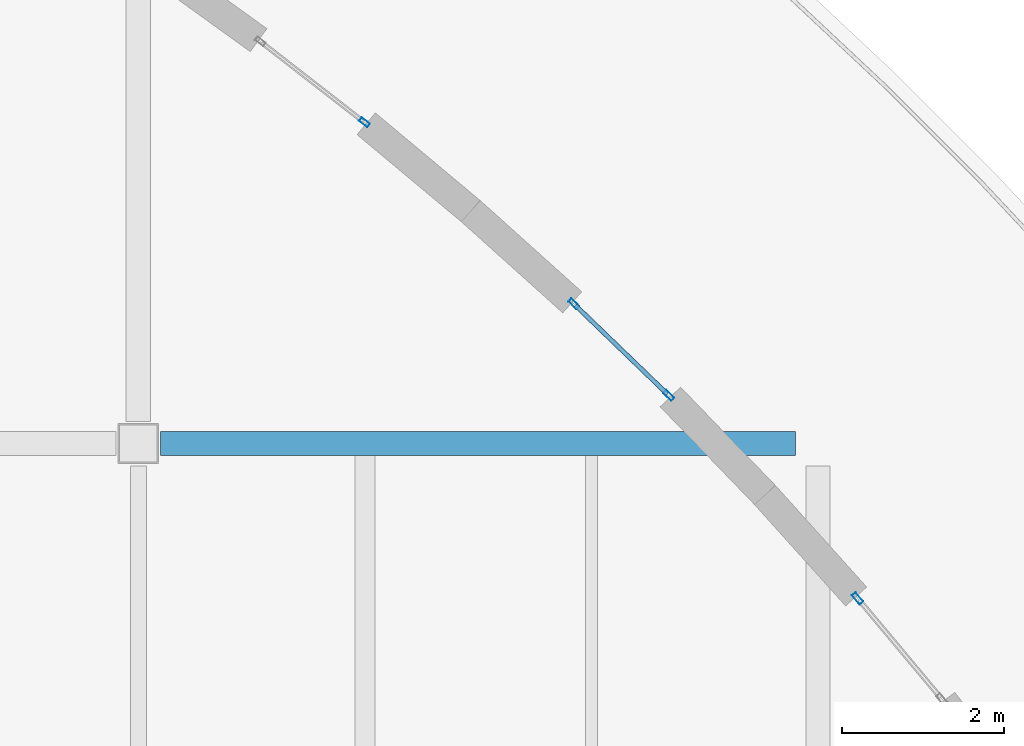
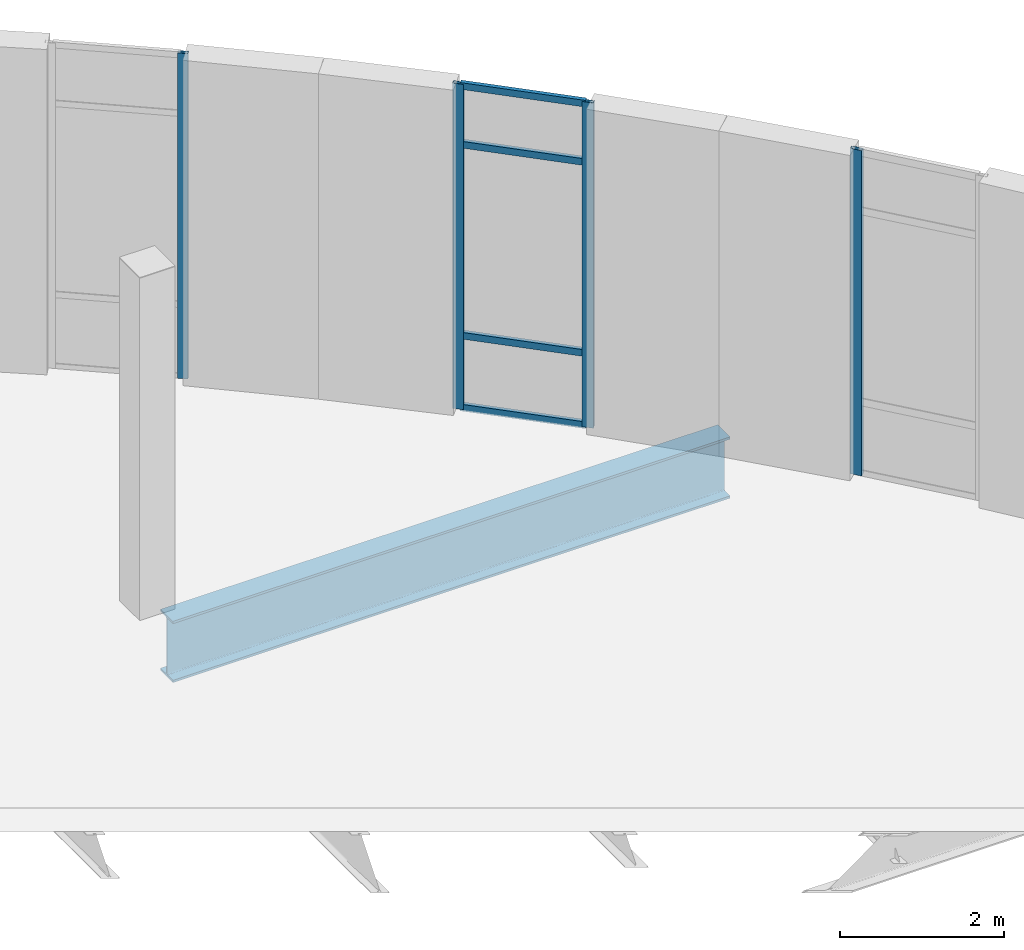
# One storey, part 53 of 103: 8 members, 1 beam, 3 elements without a shape of their own.
"""IFC4 building model written with IfcOpenShell, lengths in metres."""

from ifc_helpers import new_model, si_unit, direction, frame, origin, origin_2d, place, context, subcontext, project, spatial, hollow_rectangle, i_section, extrude, material, layer, layer_set, material_profile, profile_set, type_object, element, aggregate, save


model = new_model("IFC4")

# Units and contexts
model_context = context("Model", 3, precision=1e-05, world=origin(), true_north=direction((0.0, 1.0)))
body_context = subcontext(model_context, "Body", "Model", "MODEL_VIEW")
ifc_project = project(units=[si_unit("LENGTHUNIT", "METRE"), si_unit("AREAUNIT", "SQUARE_METRE"), si_unit("VOLUMEUNIT", "CUBIC_METRE"), si_unit("PLANEANGLEUNIT", "RADIAN"), si_unit("MASSUNIT", "GRAM", prefix="KILO"), si_unit("THERMODYNAMICTEMPERATUREUNIT", "KELVIN")], contexts=[model_context])

# Site, building, storey
site_placement = place(None, origin())
site = spatial("IfcSite", under=ifc_project, at=site_placement, CompositionType="ELEMENT")
building_placement = place(site_placement, origin())
building = spatial("IfcBuilding", under=site, at=building_placement, Name="Lustrewick Department Store", CompositionType="ELEMENT")
storey_placement = place(building_placement, frame((0.0, 0.0, 16.5)))
storey = spatial("IfcBuildingStorey", under=building, at=storey_placement, Name="L04", CompositionType="ELEMENT", Elevation=16.5)

# Curtain wall, member
ifc_material_1 = material(Name="Thermally broken aluminium 6063-T5", Category="aluminium")
ifc_layer_1 = layer(ifc_material_1, 0.14990234375, Name="Thermally broken aluminium 6063-T5")
ifc_layer_set_1 = layer_set([ifc_layer_1], Name="Thermally broken aluminium 6063-T5")
curtain_wall_type_1 = type_object("IfcCurtainWallType", Name="CW05", PredefinedType="NOTDEFINED", material=ifc_layer_set_1)
curtain_wall_1_placement = place(storey_placement, origin())
curtain_wall_1 = element("IfcCurtainWall", 1, at=curtain_wall_1_placement, inside=storey, type_object=curtain_wall_type_1, Name="L04 V4 Curtain Wall CW05", PredefinedType="NOTDEFINED")
ifc_material_profile_1 = material_profile(ifc_material_1, hollow_rectangle(XDim=0.06005859375, YDim=0.14990234375, WallThickness=0.00341796875, at=origin_2d()), Name="ALU-M 60x150x3.5")
ifc_profile_set_1 = profile_set([ifc_material_profile_1], Name="Thermally broken aluminium 6063-T5")
member_type_1 = type_object("IfcMemberType", Name="CW05-M1", PredefinedType="MULLION", material=ifc_profile_set_1)
member_1_placement = place(storey_placement, frame((151.690673828125, 90.486328125, 0.0), z_axis=(0.0, 0.0, 1.0), x_axis=(-0.767320559284, -0.641263720555, 0.0)))
member_1 = element("IfcMember", 2, at=member_1_placement, type_object=member_type_1, Name="CW05 mullion 2", PredefinedType="MULLION", context=body_context, shape_type="SweptSolid", body=[
    extrude(hollow_rectangle(XDim=0.06005859375, YDim=0.14990234375, WallThickness=0.00341796875, at=origin_2d()), origin(), (0.0, 0.0, 1.0), 4.844970703125),
])
aggregate(curtain_wall_1, [member_1])

# Curtain wall, members
ifc_layer_2 = layer(ifc_material_1, 0.139892578125, Name="Thermally broken aluminium 6063-T5")
ifc_layer_set_2 = layer_set([ifc_layer_2], Name="Thermally broken aluminium 6063-T5")
curtain_wall_type_2 = type_object("IfcCurtainWallType", Name="CW06", PredefinedType="NOTDEFINED", material=ifc_layer_set_2)
curtain_wall_2_placement = place(storey_placement, origin())
curtain_wall_2 = element("IfcCurtainWall", 3, at=curtain_wall_2_placement, inside=storey, type_object=curtain_wall_type_2, Name="L04 V4 Curtain Wall CW06", PredefinedType="NOTDEFINED")
ifc_material_profile_2 = material_profile(ifc_material_1, hollow_rectangle(XDim=0.054931640625, YDim=0.139892578125, WallThickness=0.00341796875, at=origin_2d()), Name="ALU-M 55x140x3.5")
ifc_profile_set_2 = profile_set([ifc_material_profile_2], Name="Thermally broken aluminium 6063-T5")
member_type_2 = type_object("IfcMemberType", Name="CW06-M1", PredefinedType="MULLION", material=ifc_profile_set_2)
member_2_placement = place(storey_placement, frame((149.355712890625, 92.994384765625, 0.0), z_axis=(0.0, 0.0, 1.0), x_axis=(-0.694382653502, -0.71960595503, 0.0)))
member_2 = element("IfcMember", 4, at=member_2_placement, type_object=member_type_2, Name="CW06 mullion 1", PredefinedType="MULLION", context=body_context, shape_type="SweptSolid", body=[
    extrude(hollow_rectangle(XDim=0.054931640625, YDim=0.139892578125, WallThickness=0.00341796875, at=origin_2d()), origin(), (0.0, 0.0, 1.0), 4.844970703125),
])
member_3_placement = place(storey_placement, frame((148.1826171875, 94.126220703125, 0.0), z_axis=(0.0, 0.0, 1.0), x_axis=(-0.694382653502, -0.71960595503, 0.0)))
member_3 = element("IfcMember", 5, at=member_3_placement, type_object=member_type_2, Name="CW06 mullion 2", PredefinedType="MULLION", context=body_context, shape_type="SweptSolid", body=[
    extrude(hollow_rectangle(XDim=0.054931640625, YDim=0.139892578125, WallThickness=0.00341796875, at=origin_2d()), origin(), (0.0, 0.0, 1.0), 4.844970703125),
])
ifc_material_profile_3 = material_profile(ifc_material_1, hollow_rectangle(XDim=0.054931640625, YDim=0.10009765625, WallThickness=0.0029296875, at=origin_2d()), Name="ALU-T 55x100x3")
ifc_profile_set_3 = profile_set([ifc_material_profile_3], Name="Thermally broken aluminium 6063-T5")
member_type_3 = type_object("IfcMemberType", Name="CW06-T1", PredefinedType="USERDEFINED", material=ifc_profile_set_3)
member_4_placement = place(storey_placement, frame((149.3359375, 93.013671875, 0.027587890625), z_axis=(-0.719703205649, 0.69428185615, 0.0), x_axis=(-0.69428185615, -0.719703205649, 0.0)))
member_4 = element("IfcMember", 6, at=member_4_placement, type_object=member_type_3, Name="CW06 transom 1.1", ObjectType="TRANSOM", PredefinedType="USERDEFINED", context=body_context, shape_type="SweptSolid", body=[
    extrude(hollow_rectangle(XDim=0.054931640625, YDim=0.10009765625, WallThickness=0.0029296875, at=origin_2d()), origin(), (0.0, 0.0, 1.0), 1.574951171875),
])
member_5_placement = place(storey_placement, frame((149.3359375, 93.013671875, 1.10009765625), z_axis=(-0.719703205649, 0.69428185615, 0.0), x_axis=(-0.69428185615, -0.719703205649, 0.0)))
member_5 = element("IfcMember", 7, at=member_5_placement, type_object=member_type_3, Name="CW06 transom 1.2", ObjectType="TRANSOM", PredefinedType="USERDEFINED", context=body_context, shape_type="SweptSolid", body=[
    extrude(hollow_rectangle(XDim=0.054931640625, YDim=0.10009765625, WallThickness=0.0029296875, at=origin_2d()), origin(), (0.0, 0.0, 1.0), 1.574951171875),
])
member_6_placement = place(storey_placement, frame((149.3359375, 93.013671875, 3.945068359375), z_axis=(-0.719703205649, 0.69428185615, 0.0), x_axis=(-0.69428185615, -0.719703205649, 0.0)))
member_6 = element("IfcMember", 8, at=member_6_placement, type_object=member_type_3, Name="CW06 transom 1.3", ObjectType="TRANSOM", PredefinedType="USERDEFINED", context=body_context, shape_type="SweptSolid", body=[
    extrude(hollow_rectangle(XDim=0.054931640625, YDim=0.10009765625, WallThickness=0.0029296875, at=origin_2d()), origin(), (0.0, 0.0, 1.0), 1.574951171875),
])
member_7_placement = place(storey_placement, frame((149.3359375, 93.013671875, 4.8173828125), z_axis=(-0.719703205649, 0.69428185615, 0.0), x_axis=(-0.69428185615, -0.719703205649, 0.0)))
member_7 = element("IfcMember", 9, at=member_7_placement, type_object=member_type_3, Name="CW06 transom 1.4", ObjectType="TRANSOM", PredefinedType="USERDEFINED", context=body_context, shape_type="SweptSolid", body=[
    extrude(hollow_rectangle(XDim=0.054931640625, YDim=0.10009765625, WallThickness=0.0029296875, at=origin_2d()), origin(), (0.0, 0.0, 1.0), 1.574951171875),
])
aggregate(curtain_wall_2, [member_2, member_3, member_4, member_5, member_6, member_7])

# Curtain wall, member
ifc_layer_3 = layer(ifc_material_1, 0.1298828125, Name="Thermally broken aluminium 6063-T5")
ifc_layer_set_3 = layer_set([ifc_layer_3], Name="Thermally broken aluminium 6063-T5")
curtain_wall_type_3 = type_object("IfcCurtainWallType", Name="CW07", PredefinedType="NOTDEFINED", material=ifc_layer_set_3)
curtain_wall_3_placement = place(storey_placement, origin())
curtain_wall_3 = element("IfcCurtainWall", 10, at=curtain_wall_3_placement, inside=storey, type_object=curtain_wall_type_3, Name="L04 V4 Curtain Wall CW07", PredefinedType="NOTDEFINED")
ifc_material_profile_4 = material_profile(ifc_material_1, hollow_rectangle(XDim=0.054931640625, YDim=0.1298828125, WallThickness=0.00341796875, at=origin_2d()), Name="ALU-M 55x130x3.5")
ifc_profile_set_4 = profile_set([ifc_material_profile_4], Name="Thermally broken aluminium 6063-T5")
member_type_4 = type_object("IfcMemberType", Name="CW07-M1", PredefinedType="MULLION", material=ifc_profile_set_4)
member_8_placement = place(storey_placement, frame((145.5947265625, 96.36865234375, 0.0), z_axis=(0.0, 0.0, 1.0), x_axis=(-0.613455642749, -0.78972917787, 0.0)))
member_8 = element("IfcMember", 11, at=member_8_placement, type_object=member_type_4, Name="CW07 mullion 1", PredefinedType="MULLION", context=body_context, shape_type="SweptSolid", body=[
    extrude(hollow_rectangle(XDim=0.054931640625, YDim=0.1298828125, WallThickness=0.00341796875, at=origin_2d()), origin(), (0.0, 0.0, 1.0), 4.844970703125),
])
aggregate(curtain_wall_3, [member_8])

# Beam
ifc_material_2 = material(Name="Structural steel Q355C", Category="steel")
ifc_material_profile_5 = material_profile(ifc_material_2, i_section(OverallWidth=0.302001953125, OverallDepth=0.912109375, WebThickness=0.01806640625, FlangeThickness=0.033935546875, FilletRadius=0.02392578125, at=origin_2d()), Name="HN 912x302x18x34")
ifc_profile_set_5 = profile_set([ifc_material_profile_5], Name="Structural steel Q355C")
beam_type = type_object("IfcBeamType", Name="G01", PredefinedType="BEAM", material=ifc_profile_set_5)
beam_placement = place(storey_placement, frame((143.074951171875, 92.39990234375, -0.7109375), z_axis=(1.0, 0.0, 0.0), x_axis=(0.0, 1.0, 0.0)))
element("IfcBeam", 12, at=beam_placement, inside=storey, type_object=beam_type, Name="L04 V4 Girder G01", PredefinedType="BEAM", context=body_context, shape_type="SweptSolid", body=[
    extrude(i_section(OverallWidth=0.302001953125, OverallDepth=0.912109375, WebThickness=0.01806640625, FlangeThickness=0.033935546875, FilletRadius=0.02392578125, at=origin_2d()), origin(), (0.0, 0.0, 1.0), 7.85009765625),
])

save(model, "model.ifc")
